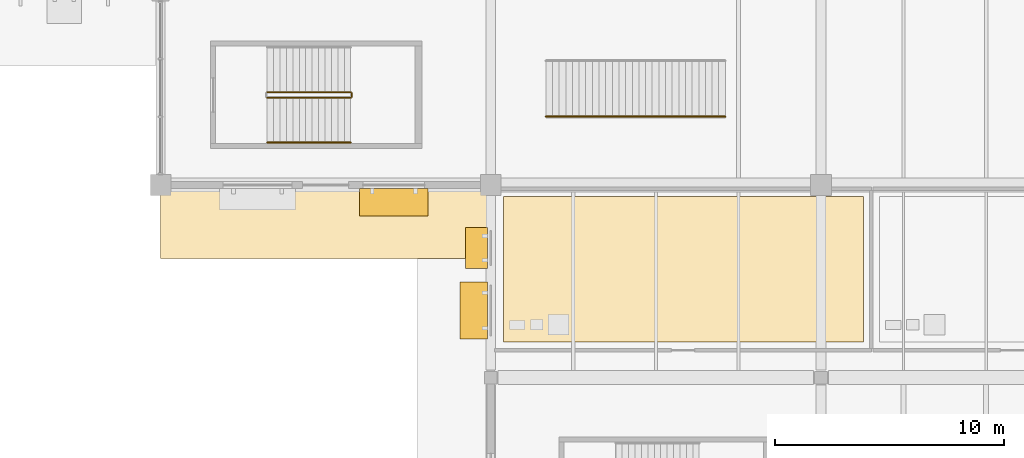
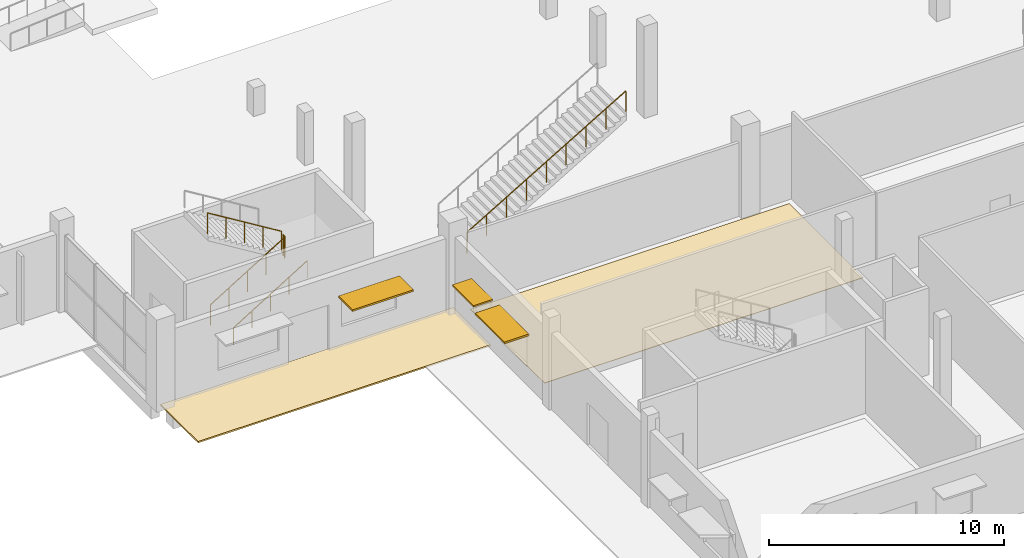
# One storey, part 110 of 130: 5 railings, 3 shading devices, 2 coverings.
"""IFC4 building model written with IfcOpenShell, lengths in metres."""

from ifc_helpers import new_model, si_unit, direction, frame, origin, origin_2d, place, context, subcontext, project, spatial, polyline, rectangle, circle, outline, extrude, material, layer, layer_set, type_object, element, save


model = new_model("IFC4")

# Units and contexts
model_context = context("Model", 3, precision=1e-05, world=origin(), true_north=direction((0.0, 1.0)))
body_context = subcontext(model_context, "Body", "Model", "MODEL_VIEW")
ifc_project = project(units=[si_unit("LENGTHUNIT", "METRE"), si_unit("AREAUNIT", "SQUARE_METRE"), si_unit("VOLUMEUNIT", "CUBIC_METRE"), si_unit("PLANEANGLEUNIT", "RADIAN"), si_unit("MASSUNIT", "GRAM", prefix="KILO"), si_unit("THERMODYNAMICTEMPERATUREUNIT", "KELVIN")], contexts=[model_context])

# Site, building, storey
site_placement = place(None, origin())
site = spatial("IfcSite", under=ifc_project, at=site_placement, CompositionType="ELEMENT")
building_placement = place(site_placement, origin())
building = spatial("IfcBuilding", under=site, at=building_placement, Name="Nduvali Passage Aquatics Centre", CompositionType="ELEMENT")
storey_placement = place(building_placement, origin())
storey = spatial("IfcBuildingStorey", under=building, at=storey_placement, Name="L00", CompositionType="ELEMENT", Elevation=0.0)

# Shading devices
ifc_material_1 = material(Name="Aluminium EN AW-6063 T6", Category="aluminium")
ifc_layer_1 = layer(ifc_material_1, 0.090087890625, Name="Aluminium EN AW-6063 T6")
ifc_layer_set_1 = layer_set([ifc_layer_1], Name="Aluminium EN AW-6063 T6")
shading_device_type_1 = type_object("IfcShadingDeviceType", Name="ENV-SHD-SUN1", PredefinedType="AWNING", material=ifc_layer_set_1)
shading_device_1_placement = place(storey_placement, frame((38.85009765625, 19.72412109375, 2.65478515625), z_axis=(0.0, 0.0, 1.0), x_axis=(0.0, -1.0, 0.0)))
element("IfcShadingDevice", 1, at=shading_device_1_placement, inside=storey, type_object=shading_device_type_1, Name="L00 Horizontal Monsoon Sunshade 0023", PredefinedType="AWNING", context=body_context, shape_type="SweptSolid", body=[
    extrude(rectangle(XDim=2.5, YDim=1.199951171875, at=origin_2d()), origin(), (0.0, 0.0, 1.0), 0.090087890625),
])
shading_device_2_placement = place(storey_placement, frame((35.3701171875, 24.449951171875, 2.60498046875), z_axis=(0.0, 0.0, 1.0), x_axis=(1.0, 0.0, 0.0)))
element("IfcShadingDevice", 2, at=shading_device_2_placement, inside=storey, type_object=shading_device_type_1, Name="L00 Horizontal Monsoon Sunshade 0087", PredefinedType="AWNING", context=body_context, shape_type="SweptSolid", body=[
    extrude(rectangle(XDim=3.0, YDim=1.199951171875, at=origin_2d()), origin(), (0.0, 0.0, 1.0), 0.090087890625),
])
ifc_layer_2 = layer(ifc_material_1, 0.080078125, Name="Aluminium EN AW-6063 T6")
ifc_layer_set_2 = layer_set([ifc_layer_2], Name="Aluminium EN AW-6063 T6")
shading_device_type_2 = type_object("IfcShadingDeviceType", Name="ENV-SHD-SUN2", PredefinedType="AWNING", material=ifc_layer_set_2)
shading_device_3_placement = place(storey_placement, frame((38.97509765625, 22.447021484375, 2.60986328125), z_axis=(0.0, 0.0, 1.0), x_axis=(0.0, -1.0, 0.0)))
element("IfcShadingDevice", 3, at=shading_device_3_placement, inside=storey, type_object=shading_device_type_2, Name="L00 Horizontal Monsoon Sunshade 0022", PredefinedType="AWNING", context=body_context, shape_type="SweptSolid", body=[
    extrude(rectangle(XDim=1.800048828125, YDim=0.949951171875, at=origin_2d()), origin(), (0.0, 0.0, 1.0), 0.080078125),
])

# Covering
ifc_material_2 = material(Name="Anti-slip ceramic pool deck tile")
ifc_layer_3 = layer(ifc_material_2, 0.02490234375, Name="Anti-slip ceramic pool deck tile")
ifc_layer_set_3 = layer_set([ifc_layer_3], Name="Anti-slip ceramic pool deck tile")
covering_type_1 = type_object("IfcCoveringType", Name="INT-COV-TILE", PredefinedType="FLOORING", material=ifc_layer_set_3)
covering_1_placement = place(storey_placement, origin())
element("IfcCovering", 4, at=covering_1_placement, inside=storey, type_object=covering_type_1, Name="L00 Athlete Wet Changing Village West Floor Finish", PredefinedType="FLOORING", context=body_context, shape_type="SweptSolid", body=[
    extrude(outline(polyline([(40.14990234375, 18.35009765625), (55.85009765625, 18.35009765625), (55.85009765625, 24.68994140625), (40.14990234375, 24.68994140625), (40.14990234375, 18.35009765625)])), origin(), (0.0, 0.0, 1.0), 0.02490234375),
])

# Railings
ifc_material_3 = material(Name="Stainless steel balustrade", Category="steel")
railing_type_1 = type_object("IfcRailingType", Name="INT-RLG-GRD110", PredefinedType="GUARDRAIL", material=ifc_material_3)
railing_1_placement = place(storey_placement, frame((29.85009765625, 29.0, 0.17138671875)))
element("IfcRailing", 5, at=railing_1_placement, inside=storey, type_object=railing_type_1, Name="L00 ST13 stair guard 1", PredefinedType="GUARDRAIL", context=body_context, shape_type="SweptSolid", body=[
    extrude(circle(Radius=0.02392578125, at=origin_2d()), frame((0.0, 0.0, 1.076171875), z_axis=(0.852850264322, 0.0, 0.5221555579), x_axis=(0.0, 1.0, 0.0)), (0.0, 0.0, 1.0), 4.267822265625),
    extrude(circle(Radius=0.02099609375, at=origin_2d()), origin(), (0.0, 0.0, 1.0), 1.052001953125),
    extrude(circle(Radius=0.02099609375, at=origin_2d()), frame((0.909912109375, 0.0, 0.55712890625)), (0.0, 0.0, 1.0), 1.052001953125),
    extrude(circle(Radius=0.02099609375, at=origin_2d()), frame((1.81982421875, 0.0, 1.1142578125)), (0.0, 0.0, 1.0), 1.052001953125),
    extrude(circle(Radius=0.02099609375, at=origin_2d()), frame((2.72998046875, 0.0, 1.67138671875)), (0.0, 0.0, 1.0), 1.052001953125),
    extrude(circle(Radius=0.02099609375, at=origin_2d()), frame((3.639892578125, 0.0, 2.228515625)), (0.0, 0.0, 1.0), 1.052001953125),
])
railing_2_placement = place(storey_placement, frame((33.5400390625, 29.050048828125, 2.39990234375)))
element("IfcRailing", 6, at=railing_2_placement, inside=storey, type_object=railing_type_1, Name="L00 ST13 stair guard 2", PredefinedType="GUARDRAIL", context=body_context, shape_type="SweptSolid", body=[
    extrude(circle(Radius=0.02392578125, at=origin_2d()), frame((0.0, 0.0, 1.076171875), z_axis=(0.0, 1.0, 0.0), x_axis=(-1.0, 0.0, 0.0)), (0.0, 0.0, 1.0), 0.14990234375),
    extrude(circle(Radius=0.02099609375, at=origin_2d()), origin(), (0.0, 0.0, 1.0), 1.052001953125),
    extrude(circle(Radius=0.02099609375, at=origin_2d()), frame((0.0, 0.14990234375, 0.0)), (0.0, 0.0, 1.0), 1.052001953125),
])
railing_3_placement = place(storey_placement, frame((33.489990234375, 29.25, 2.571533203125)))
element("IfcRailing", 7, at=railing_3_placement, inside=storey, type_object=railing_type_1, Name="L00 ST13 stair guard 3", PredefinedType="GUARDRAIL", context=body_context, shape_type="SweptSolid", body=[
    extrude(circle(Radius=0.02392578125, at=origin_2d()), frame((0.0, 0.0, 1.076171875), z_axis=(-0.852850264322, 0.0, 0.5221555579), x_axis=(0.0, -1.0, 0.0)), (0.0, 0.0, 1.0), 4.267822265625),
    extrude(circle(Radius=0.02099609375, at=origin_2d()), origin(), (0.0, 0.0, 1.0), 1.052001953125),
    extrude(circle(Radius=0.02099609375, at=origin_2d()), frame((-0.909912109375, 0.0, 0.55712890625)), (0.0, 0.0, 1.0), 1.052001953125),
    extrude(circle(Radius=0.02099609375, at=origin_2d()), frame((-1.81982421875, 0.0, 1.1142578125)), (0.0, 0.0, 1.0), 1.052001953125),
    extrude(circle(Radius=0.02099609375, at=origin_2d()), frame((-2.72998046875, 0.0, 1.67138671875)), (0.0, 0.0, 1.0), 1.052001953125),
    extrude(circle(Radius=0.02099609375, at=origin_2d()), frame((-3.639892578125, 0.0, 2.228515625)), (0.0, 0.0, 1.0), 1.052001953125),
])
railing_4_placement = place(storey_placement, frame((42.0, 28.18505859375, 0.17138671875)))
element("IfcRailing", 8, at=railing_4_placement, inside=storey, type_object=railing_type_1, Name="Vomitory VST1 Guardrail 1", PredefinedType="GUARDRAIL", context=body_context, shape_type="SweptSolid", body=[
    extrude(circle(Radius=0.02392578125, at=origin_2d()), frame((0.0, 0.0, 1.076171875), z_axis=(0.860839950906, 0.0, 0.508875799115), x_axis=(0.0, 1.0, 0.0)), (0.0, 0.0, 1.0), 9.095947265625),
    extrude(circle(Radius=0.02099609375, at=origin_2d()), origin(), (0.0, 0.0, 1.0), 1.052001953125),
    extrude(circle(Radius=0.02099609375, at=origin_2d()), frame((0.978759765625, 0.0, 0.57861328125)), (0.0, 0.0, 1.0), 1.052001953125),
    extrude(circle(Radius=0.02099609375, at=origin_2d()), frame((1.95751953125, 0.0, 1.1572265625)), (0.0, 0.0, 1.0), 1.052001953125),
    extrude(circle(Radius=0.02099609375, at=origin_2d()), frame((2.936279296875, 0.0, 1.73583984375)), (0.0, 0.0, 1.0), 1.052001953125),
    extrude(circle(Radius=0.02099609375, at=origin_2d()), frame((3.9150390625, 0.0, 2.314453125)), (0.0, 0.0, 1.0), 1.052001953125),
    extrude(circle(Radius=0.02099609375, at=origin_2d()), frame((4.893798828125, 0.0, 2.892822265625)), (0.0, 0.0, 1.0), 1.052001953125),
    extrude(circle(Radius=0.02099609375, at=origin_2d()), frame((5.87255859375, 0.0, 3.471435546875)), (0.0, 0.0, 1.0), 1.052001953125),
    extrude(circle(Radius=0.02099609375, at=origin_2d()), frame((6.851318359375, 0.0, 4.050048828125)), (0.0, 0.0, 1.0), 1.052001953125),
    extrude(circle(Radius=0.02099609375, at=origin_2d()), frame((7.830078125, 0.0, 4.628662109375)), (0.0, 0.0, 1.0), 1.052001953125),
])
railing_type_2 = type_object("IfcRailingType", Name="INT-RLG-HND90", PredefinedType="HANDRAIL", material=ifc_material_3)
railing_5_placement = place(storey_placement, frame((29.85009765625, 27.050048828125, 0.346435546875)))
element("IfcRailing", 9, at=railing_5_placement, inside=storey, type_object=railing_type_2, Name="L00 ST13 stair handrail 1", PredefinedType="HANDRAIL", context=body_context, shape_type="SweptSolid", body=[
    extrude(circle(Radius=0.02392578125, at=origin_2d()), frame((0.0, 0.0, 0.8759765625), z_axis=(0.852850264322, 0.0, 0.5221555579), x_axis=(0.0, 1.0, 0.0)), (0.0, 0.0, 1.0), 4.267822265625),
    extrude(circle(Radius=0.02099609375, at=origin_2d()), origin(), (0.0, 0.0, 1.0), 0.851806640625),
    extrude(circle(Radius=0.02099609375, at=origin_2d()), frame((0.909912109375, 0.0, 0.55712890625)), (0.0, 0.0, 1.0), 0.851806640625),
    extrude(circle(Radius=0.02099609375, at=origin_2d()), frame((1.81982421875, 0.0, 1.1142578125)), (0.0, 0.0, 1.0), 0.851806640625),
    extrude(circle(Radius=0.02099609375, at=origin_2d()), frame((2.72998046875, 0.0, 1.67138671875)), (0.0, 0.0, 1.0), 0.851806640625),
    extrude(circle(Radius=0.02099609375, at=origin_2d()), frame((3.639892578125, 0.0, 2.228515625)), (0.0, 0.0, 1.0), 0.851806640625),
])

# Covering
ifc_material_4 = material(Name="Coral-stone masonry blockwork", Category="masonry")
ifc_layer_4 = layer(ifc_material_4, 0.080078125, Name="Coral-stone masonry blockwork")
ifc_layer_set_4 = layer_set([ifc_layer_4], Name="Coral-stone masonry blockwork")
covering_type_2 = type_object("IfcCoveringType", Name="STR-COV-PAV80", PredefinedType="USERDEFINED", material=ifc_layer_set_4)
covering_2_placement = place(storey_placement, frame((0.0, 0.0, -0.080078125)))
element("IfcCovering", 10, at=covering_2_placement, inside=storey, type_object=covering_type_2, Name="L00 Pool Hall South-West Exit Paving", ObjectType="PAVING", PredefinedType="USERDEFINED", context=body_context, shape_type="SweptSolid", body=[
    extrude(outline(polyline([(25.199951171875, 22.0), (39.60009765625, 22.0), (39.60009765625, 25.199951171875), (25.199951171875, 25.199951171875), (25.199951171875, 22.0)])), origin(), (0.0, 0.0, 1.0), 0.080078125),
])

save(model, "model.ifc")
